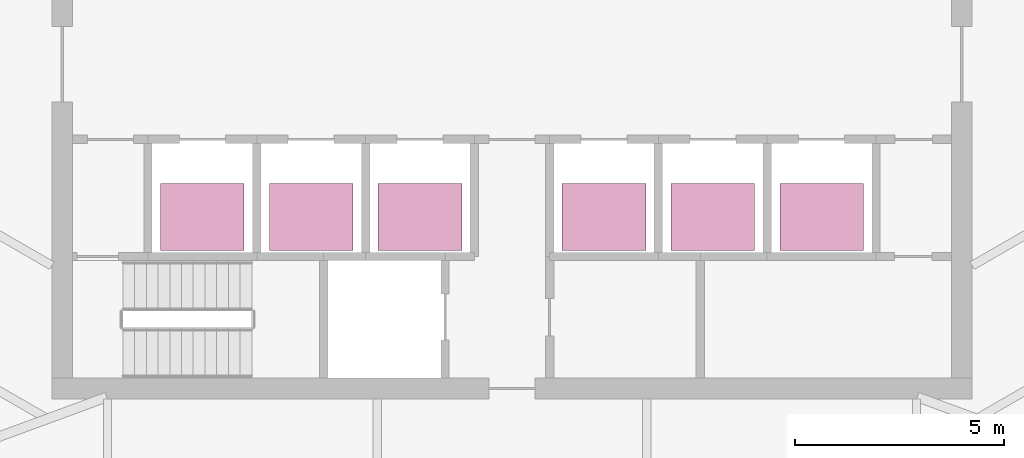
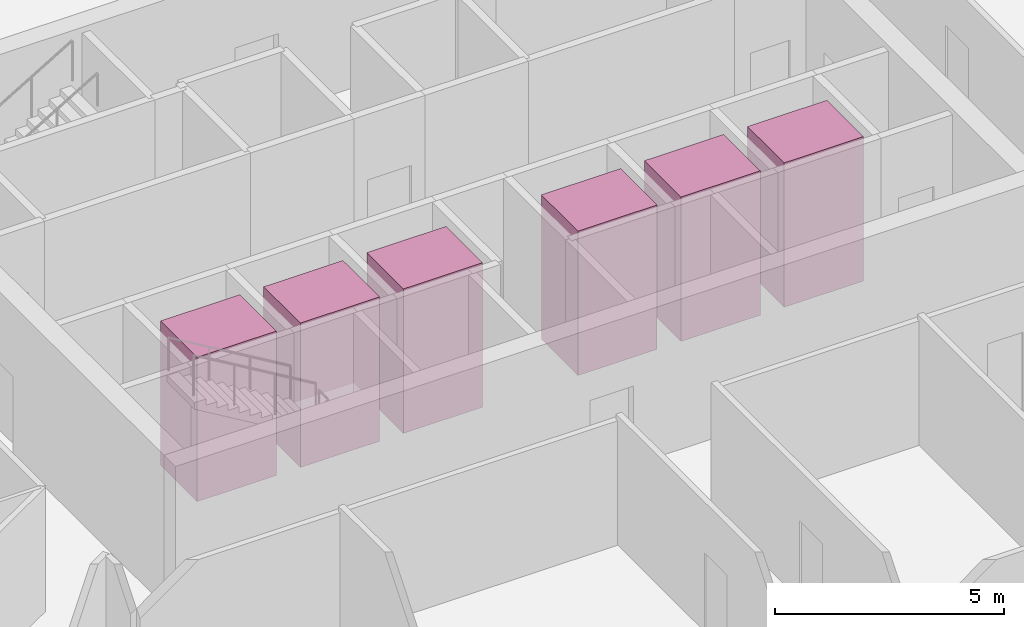
# One storey, part 18 of 18: 6 transport elements.
"""IFC4 building model written with IfcOpenShell, lengths in metres."""

from ifc_helpers import new_model, si_unit, direction, frame, origin, origin_2d, place, context, subcontext, project, spatial, rectangle, extrude, material, type_object, element, save


model = new_model("IFC4")

# Units and contexts
model_context = context("Model", 3, precision=1e-05, world=origin(), true_north=direction((0.0, 1.0)))
body_context = subcontext(model_context, "Body", "Model", "MODEL_VIEW")
ifc_project = project(units=[si_unit("LENGTHUNIT", "METRE"), si_unit("AREAUNIT", "SQUARE_METRE"), si_unit("VOLUMEUNIT", "CUBIC_METRE"), si_unit("PLANEANGLEUNIT", "RADIAN"), si_unit("MASSUNIT", "GRAM", prefix="KILO")], contexts=[model_context])

# Site, building, storey
site_placement = place(None, origin())
site = spatial("IfcSite", under=ifc_project, at=site_placement, CompositionType="ELEMENT")
building_placement = place(site_placement, origin())
building = spatial("IfcBuilding", under=site, at=building_placement, Name="Sierra Prisma Convention Tower", CompositionType="ELEMENT")
storey_placement = place(building_placement, frame((0.0, 0.0, 279.0)))
storey = spatial("IfcBuildingStorey", under=building, at=storey_placement, Name="L63", CompositionType="ELEMENT", Elevation=279.0)

# Transport elements
ifc_material = material(Name="Stainless steel", Category="steel")
transport_element_type = type_object("IfcTransportElementType", Name="Lift car office high 2000x1600 1600 kg", PredefinedType="ELEVATOR", material=ifc_material)
for number, where, z_axis, x_axis, name in (
    (1, (-7.39990234375, -3.64990234375, 0.0), (0.0, 0.0, 1.0), (1.0, 0.0, 0.0), "Lift OH1"),
    (2, (-4.800048828125, -3.64990234375, 0.0), (0.0, 0.0, 1.0), (1.0, 0.0, 0.0), "Lift OH2"),
    (3, (-2.199951171875, -3.64990234375, 0.0), (0.0, 0.0, 1.0), (1.0, 0.0, 0.0), "Lift OH3"),
    (4, (2.199951171875, -3.64990234375, 0.0), (0.0, 0.0, 1.0), (1.0, 0.0, 0.0), "Lift OH4"),
    (5, (4.800048828125, -3.64990234375, 0.0), (0.0, 0.0, 1.0), (1.0, 0.0, 0.0), "Lift OH5"),
    (6, (7.39990234375, -3.64990234375, 0.0), (0.0, 0.0, 1.0), (1.0, 0.0, 0.0), "Lift OH6"),
):
    element("IfcTransportElement", number, at=place(storey_placement, frame(where, z_axis=z_axis, x_axis=x_axis)), inside=storey, type_object=transport_element_type, Name=name, PredefinedType="ELEVATOR", context=body_context, shape_type="SweptSolid", body=[
        extrude(rectangle(XDim=2.0, YDim=1.60009765625, at=origin_2d()), origin(), (0.0, 0.0, 1.0), 3.85009765625),
    ])

save(model, "model.ifc")
